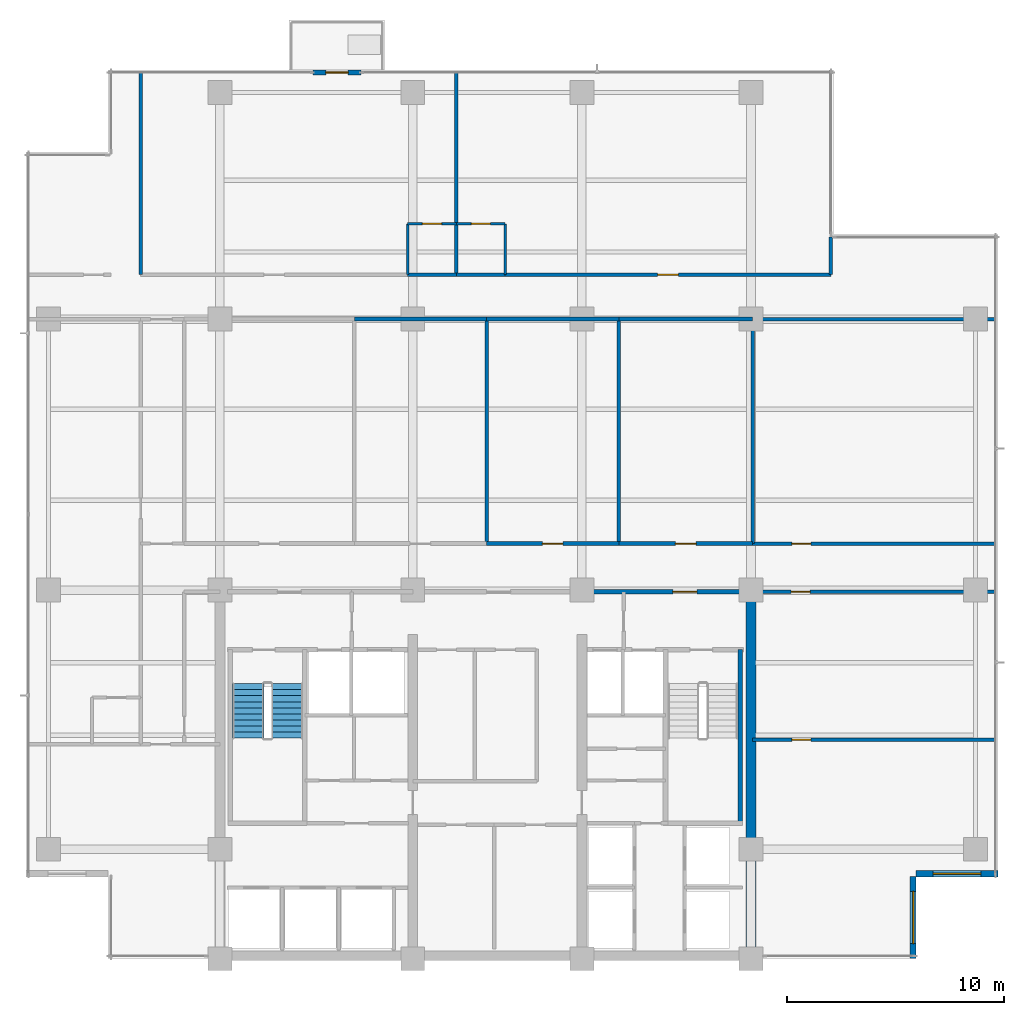
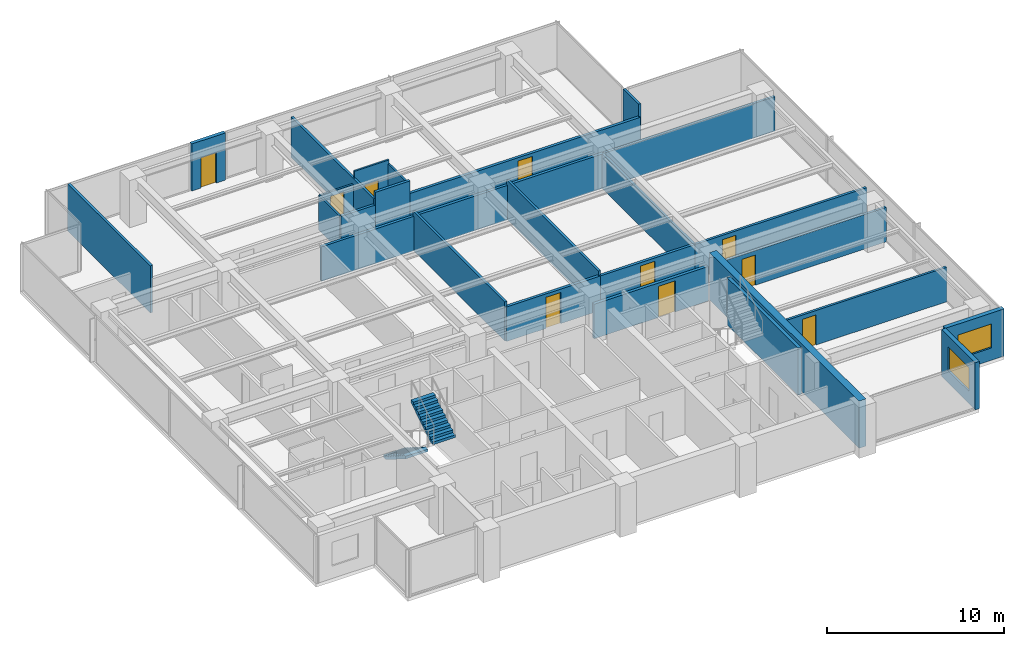
# One storey, part 9 of 14: 28 walls, 10 doors, 2 stair flights, 2 windows, 12 openings, 1 element without a shape of its own.
"""IFC4 building model written with IfcOpenShell, lengths in metres."""

import ifcopenshell
import ifcopenshell.guid

model = None  # the IFC model being written
_history = None  # IfcOwnerHistory: only IFC2X3 demands one
_inside = {}  # id of a spatial element -> (the spatial element, [elements in it])
_under = {}  # id of a project, library or spatial element -> (it, [spatial elements below it])
_declared = {}  # id of a project -> (the project, [libraries it declares])
_typed = {}  # id of a type object -> (the type object, [elements of that type])
_made_of = {}  # id of a material, layer set ... -> (it, [elements and type objects made of it])


def new_model(schema):
    """Start an empty IFC model of exactly this schema.

    Asked for "IFC4X3", IfcOpenShell would pick the latest addendum, in which some entities
    have other attributes; the version numbers below select the first issue.
    IFC2X3 requires an IfcOwnerHistory on every rooted entity: one is made here for all.
    """
    global model, _history
    if schema == "IFC4X3":
        model = ifcopenshell.file(schema_version=(4, 3, 0, 0))
    else:
        model = ifcopenshell.file(schema=schema)
    _inside.clear()
    _under.clear()
    _declared.clear()
    _typed.clear()
    _made_of.clear()
    _history = None
    if model.schema == "IFC2X3":
        org = make("IfcOrganization", Name="unknown")
        user = make(
            "IfcPersonAndOrganization",
            ThePerson=make("IfcPerson", FamilyName="unknown"),
            TheOrganization=org,
        )
        app = make(
            "IfcApplication",
            ApplicationDeveloper=org,
            Version="unknown",
            ApplicationFullName="unknown",
            ApplicationIdentifier="unknown",
        )
        _history = make(
            "IfcOwnerHistory",
            OwningUser=user,
            OwningApplication=app,
            ChangeAction="ADDED",
            CreationDate=0,
        )
    return model


def make(cls, **values):
    """One entity of the class cls with the attributes given. An attribute that is None is left unset."""
    return model.create_entity(
        cls, **{name: value for name, value in values.items() if value is not None}
    )


def rooted(cls, **values):
    """An entity with a GlobalId (a new one), such as an element, a storey or a relation."""
    return make(cls, GlobalId=ifcopenshell.guid.new(), OwnerHistory=_history, **values)


def si_unit(unit_type, name, prefix=None):
    """IfcSIUnit, for example si_unit("LENGTHUNIT", "METRE", prefix="MILLI")."""
    return make("IfcSIUnit", UnitType=unit_type, Prefix=prefix, Name=name)


def assignment(units):
    """IfcUnitAssignment: the units of a project."""
    return None if units is None else make("IfcUnitAssignment", Units=units)


def point(xyz):
    """IfcCartesianPoint."""
    return None if xyz is None else make("IfcCartesianPoint", Coordinates=xyz)


def direction(xyz):
    """IfcDirection."""
    return None if xyz is None else make("IfcDirection", DirectionRatios=xyz)


def frame(location, z_axis=None, x_axis=None):
    """IfcAxis2Placement3D, a coordinate frame: its origin and axes. An axis left out is left unset."""
    return make(
        "IfcAxis2Placement3D",
        Location=point(location),
        Axis=direction(z_axis),
        RefDirection=direction(x_axis),
    )


def frame_2d(location, x_axis=None):
    """IfcAxis2Placement2D, a coordinate frame in the plane: its origin and x axis."""
    return make(
        "IfcAxis2Placement2D", Location=point(location), RefDirection=direction(x_axis)
    )


def origin():
    """The frame at (0, 0, 0) with its axes left unset."""
    return frame((0.0, 0.0, 0.0))


def place(relative_to, where):
    """IfcLocalPlacement: puts the frame where relative to a parent placement (None: the world)."""
    return make(
        "IfcLocalPlacement", PlacementRelTo=relative_to, RelativePlacement=where
    )


def context(
    kind, dimensions, precision=None, world=None, true_north=None, identifier=None
):
    """IfcGeometricRepresentationContext, for example the 3D "Model" context."""
    return make(
        "IfcGeometricRepresentationContext",
        ContextIdentifier=identifier,
        ContextType=kind,
        CoordinateSpaceDimension=dimensions,
        Precision=precision,
        WorldCoordinateSystem=world,
        TrueNorth=true_north,
    )


def subcontext(parent, identifier, kind, view, scale=None):
    """IfcGeometricRepresentationSubContext, for example "Body" below "Model"."""
    return make(
        "IfcGeometricRepresentationSubContext",
        ContextIdentifier=identifier,
        ContextType=kind,
        ParentContext=parent,
        TargetScale=scale,
        TargetView=view,
    )


def project(units=None, contexts=None):
    """IfcProject with its units and contexts."""
    return rooted(
        "IfcProject",
        Name="project",
        RepresentationContexts=contexts,
        UnitsInContext=assignment(units),
    )


def spatial(cls, under=None, at=None, **own):
    """A site, building, storey or space (cls), placed at a placement, below another one or the project."""
    s = rooted(cls, ObjectPlacement=at, **own)
    if under is not None:
        _under.setdefault(under.id(), (under, []))[1].append(s)
    return s


def polyline(points):
    """IfcPolyline through the points."""
    return make("IfcPolyline", Points=[point(p) for p in points])


def profile(cls, at=None, kind="AREA", **sizes):
    """A parametric profile (cls). Its sizes go by their IFC names, for example OverallWidth=200.0."""
    return make(cls, ProfileType=kind, Position=at, **sizes)


def rectangle(**sizes):
    """IfcRectangleProfileDef."""
    return profile("IfcRectangleProfileDef", **sizes)


def outline(outer, holes=None, kind="AREA"):
    """IfcArbitraryClosedProfileDef: a profile drawn as a closed curve; with holes, ...WithVoids."""
    if holes is None:
        return make("IfcArbitraryClosedProfileDef", ProfileType=kind, OuterCurve=outer)
    return make(
        "IfcArbitraryProfileDefWithVoids",
        ProfileType=kind,
        OuterCurve=outer,
        InnerCurves=holes,
    )


def extrude(swept, where, along, depth):
    """IfcExtrudedAreaSolid: the profile swept, set in the frame where, extruded along a direction by depth."""
    return make(
        "IfcExtrudedAreaSolid",
        SweptArea=swept,
        Position=where,
        ExtrudedDirection=direction(along),
        Depth=depth,
    )


def shape(context_of_items, identifier, shape_type, items):
    """IfcShapeRepresentation: the items that make up one representation, for example the "Body"."""
    return make(
        "IfcShapeRepresentation",
        ContextOfItems=context_of_items,
        RepresentationIdentifier=identifier,
        RepresentationType=shape_type,
        Items=items,
    )


def material(Name=None, Category=None):
    """IfcMaterial."""
    return make("IfcMaterial", Name=Name, Category=Category)


def layer(
    of_material, thickness, ventilated=None, Name=None, Category=None, Priority=None
):
    """IfcMaterialLayer: one layer of a wall or slab, of a material (None: an air gap)."""
    return make(
        "IfcMaterialLayer",
        Material=of_material,
        LayerThickness=thickness,
        IsVentilated=ventilated,
        Name=Name,
        Category=Category,
        Priority=Priority,
    )


def layer_set(layers, Name=None):
    """IfcMaterialLayerSet."""
    return make("IfcMaterialLayerSet", MaterialLayers=layers, LayerSetName=Name)


def made_of(thing, what):
    """Note that an element or type object is made of a material, layer set ...; save() writes the relation."""
    if what is not None:
        _made_of.setdefault(what.id(), (what, []))[1].append(thing)
    return thing


def type_object(cls, material=None, **own):
    """A type object (cls), such as IfcWallType, which elements share."""
    return made_of(rooted(cls, **own), material)


def element(
    cls,
    number,
    at=None,
    inside=None,
    cuts=None,
    type_object=None,
    material=None,
    context=None,
    identifier="Body",
    shape_type=None,
    held_by="IfcProductDefinitionShape",
    body=None,
    shapes=None,
    **own,
):
    """One element of the class cls, such as IfcWall. Its Tag is "e" and its number.

    at: its placement. inside: the storey or other place that contains it. cuts: it is an
    opening in that element (IfcRelVoidsElement). A single representation is given by context,
    identifier, shape_type and body (its items); several are given by shapes. held_by: the class
    of the entity that holds the representations. save() writes the other relations.
    """
    e = rooted(cls, Tag="e%d" % number, ObjectPlacement=at, **own)
    if body is not None:
        shapes = [shape(context, identifier, shape_type, body)]
    if shapes is not None:
        e.Representation = make(held_by, Representations=shapes)
    if inside is not None:
        _inside.setdefault(inside.id(), (inside, []))[1].append(e)
    if cuts is not None:
        rooted(
            "IfcRelVoidsElement", RelatingBuildingElement=cuts, RelatedOpeningElement=e
        )
    if type_object is not None:
        _typed.setdefault(type_object.id(), (type_object, []))[1].append(e)
    return made_of(e, material)


def fill(opening, filler):
    """IfcRelFillsElement: the door or window that sits in an opening."""
    return rooted(
        "IfcRelFillsElement",
        RelatingOpeningElement=opening,
        RelatedBuildingElement=filler,
    )


def aggregate(whole, parts):
    """IfcRelAggregates: a whole, such as a stair, and the parts it consists of."""
    return rooted("IfcRelAggregates", RelatingObject=whole, RelatedObjects=parts)


def save(model, path):
    """Write the relations noted so far, then the file.

    IfcRelAggregates (storeys below a building ...), IfcRelContainedInSpatialStructure (elements
    in a storey), IfcRelDefinesByType, IfcRelAssociatesMaterial and IfcRelDeclares: one each for
    every whole, place, type object, material and project.
    """
    for whole, parts in _under.values():
        aggregate(whole, parts)
    for where, things in _inside.values():
        rooted(
            "IfcRelContainedInSpatialStructure",
            RelatedElements=things,
            RelatingStructure=where,
        )
    for kind, things in _typed.values():
        rooted("IfcRelDefinesByType", RelatedObjects=things, RelatingType=kind)
    for what, things in _made_of.values():
        rooted("IfcRelAssociatesMaterial", RelatedObjects=things, RelatingMaterial=what)
    for by, libraries in _declared.values():
        rooted("IfcRelDeclares", RelatingContext=by, RelatedDefinitions=libraries)
    model.write(path)


model = new_model("IFC4")

# Units and contexts
model_context = context("Model", 3, precision=1e-05, world=origin(), true_north=direction((0.0, 1.0)))
body_context = subcontext(model_context, "Body", "Model", "MODEL_VIEW")
ifc_project = project(units=[si_unit("LENGTHUNIT", "METRE"), si_unit("AREAUNIT", "SQUARE_METRE"), si_unit("VOLUMEUNIT", "CUBIC_METRE"), si_unit("PLANEANGLEUNIT", "RADIAN"), si_unit("MASSUNIT", "GRAM", prefix="KILO")], contexts=[model_context])

# Site, building, storey
site_placement = place(None, origin())
site = spatial("IfcSite", under=ifc_project, at=site_placement, CompositionType="ELEMENT")
building_placement = place(site_placement, origin())
building = spatial("IfcBuilding", under=site, at=building_placement, Name="Qalmaran Belvedere Hotel", CompositionType="ELEMENT")
storey_placement = place(building_placement, frame((0.0, 0.0, 177.10009765625)))
storey = spatial("IfcBuildingStorey", under=building, at=storey_placement, Name="L45", CompositionType="ELEMENT", Elevation=177.10009765625)

# Wall, opening, door
ifc_material_1 = material(Name="Anodised Bronze Cladding")
ifc_layer_1 = layer(ifc_material_1, 0.22509765625, Name="Anodised Bronze Cladding")
ifc_layer_set_1 = layer_set([ifc_layer_1], Name="Anodised Bronze Cladding")
wall_type_1 = type_object("IfcWallType", Name="WL-BAL-PORT-225", PredefinedType="SOLIDWALL", material=ifc_layer_set_1)
wall_1_placement = place(storey_placement, frame((24.60009765625, 44.3798828125, 0.0), z_axis=(0.0, 0.0, 1.0), x_axis=(1.0, 0.0, 0.0)))
wall_1 = element("IfcWall", 1, at=wall_1_placement, inside=storey, type_object=wall_type_1, Name="L45 Tree Balcony Door Portal", PredefinedType="SOLIDWALL", context=body_context, shape_type="SweptSolid", body=[
    extrude(rectangle(XDim=2.199951171875, YDim=0.22509765625, at=frame_2d((1.10009765625, 0.0))), origin(), (0.0, 0.0, 1.0), 3.25),
])
opening_1_placement = place(wall_1_placement, frame((0.590087890625, 0.0, 0.0)))
opening_1 = element("IfcOpeningElement", 2, at=opening_1_placement, cuts=wall_1, Name="Opening BL-102", PredefinedType="OPENING", context=body_context, shape_type="SweptSolid", body=[
    extrude(rectangle(XDim=1.02001953125, YDim=2.10009765625, at=frame_2d((0.510009765625, 1.050048828125))), frame((0.0, 0.12255859375, 0.0), z_axis=(0.0, -1.0, 0.0), x_axis=(1.0, 0.0, 0.0)), (0.0, 0.0, 1.0), 0.2451171875),
])
ifc_material_2 = material(Name="Anodised Bronze Aluminium", Category="aluminium")
door_type_1 = type_object("IfcDoorType", Name="DR-BAL-1020X2100", OperationType="NOTDEFINED", PredefinedType="DOOR", material=ifc_material_2)
door_1_placement = place(opening_1_placement, origin())
door_1 = element("IfcDoor", 3, at=door_1_placement, inside=storey, type_object=door_type_1, Name="L45 Planted Tree Balcony Door", OperationType="SINGLE_SWING_RIGHT", OverallHeight=2.10009765625, OverallWidth=1.02001953125, PredefinedType="DOOR", context=body_context, shape_type="SweptSolid", body=[
    extrude(rectangle(XDim=1.02001953125, YDim=2.10009765625, at=frame_2d((0.510009765625, 1.050048828125))), frame((0.0, 0.02490234375, 0.0), z_axis=(0.0, -1.0, 0.0), x_axis=(1.0, 0.0, 0.0)), (0.0, 0.0, 1.0), 0.050048828125),
])
fill(opening_1, door_1)

# Wall
ifc_material_3 = material(Name="Concrete C50/60", Category="concrete")
ifc_layer_2 = layer(ifc_material_3, 0.449951171875, Name="Concrete C50/60")
ifc_layer_set_2 = layer_set([ifc_layer_2], Name="Concrete C50/60")
wall_type_2 = type_object("IfcWallType", Name="WL-CORE-450-C50", PredefinedType="SHEAR", material=ifc_layer_set_2)
wall_2_placement = place(storey_placement, frame((44.800048828125, 3.5, 0.0), z_axis=(0.0, 0.0, 1.0), x_axis=(0.0, 1.0, 0.0)))
element("IfcWall", 4, at=wall_2_placement, inside=storey, type_object=wall_type_2, Name="L45 East Core Shear Wall", PredefinedType="SHEAR", context=body_context, shape_type="SweptSolid", body=[
    extrude(rectangle(XDim=16.89990234375, YDim=0.449951171875, at=frame_2d((8.449951171875, 0.0))), origin(), (0.0, 0.0, 1.0), 3.25),
])

# Wall, opening, window
ifc_layer_3 = layer(ifc_material_1, 0.280029296875, Name="Anodised Bronze Cladding")
ifc_layer_set_3 = layer_set([ifc_layer_3], Name="Anodised Bronze Cladding")
wall_type_3 = type_object("IfcWallType", Name="WL-EXT-BRNZ-280", PredefinedType="SOLIDWALL", material=ifc_layer_set_3)
wall_3_placement = place(storey_placement, frame((52.280029296875, 3.5, 0.0), z_axis=(0.0, 0.0, 1.0), x_axis=(0.0, 1.0, 0.0)))
wall_3 = element("IfcWall", 5, at=wall_3_placement, inside=storey, type_object=wall_type_3, Name="L45 Corner Notch Wall 1", PredefinedType="SOLIDWALL", context=body_context, shape_type="SweptSolid", body=[
    extrude(rectangle(XDim=3.800048828125, YDim=0.280029296875, at=frame_2d((1.89990234375, 0.0))), origin(), (0.0, 0.0, 1.0), 3.25),
])
opening_2_placement = place(wall_3_placement, frame((0.699951171875, 0.0, 0.85009765625)))
opening_2 = element("IfcOpeningElement", 6, at=opening_2_placement, cuts=wall_3, Name="Opening W-N24", PredefinedType="OPENING", context=body_context, shape_type="SweptSolid", body=[
    extrude(rectangle(XDim=2.39990234375, YDim=1.64990234375, at=frame_2d((1.199951171875, 0.824951171875))), frame((0.0, 0.14990234375, 0.0), z_axis=(0.0, -1.0, 0.0), x_axis=(1.0, 0.0, 0.0)), (0.0, 0.0, 1.0), 0.300048828125),
])
ifc_material_4 = material(Name="Solar-Control Double Glazing", Category="glass")
window_type_1 = type_object("IfcWindowType", Name="WN-NTC-2400X1650", PartitioningType="SINGLE_PANEL", PredefinedType="WINDOW", material=ifc_material_4)
window_1_placement = place(opening_2_placement, origin())
window_1 = element("IfcWindow", 7, at=window_1_placement, inside=storey, type_object=window_type_1, Name="L45 Corner Notch Window 1", OverallHeight=1.64990234375, OverallWidth=2.39990234375, PartitioningType="SINGLE_PANEL", PredefinedType="WINDOW", context=body_context, shape_type="SweptSolid", body=[
    extrude(rectangle(XDim=2.39990234375, YDim=1.64990234375, at=frame_2d((1.199951171875, 0.824951171875))), frame((0.0, 0.030029296875, 0.0), z_axis=(0.0, -1.0, 0.0), x_axis=(1.0, 0.0, 0.0)), (0.0, 0.0, 1.0), 0.06005859375),
])
fill(opening_2, window_1)

wall_4_placement = place(storey_placement, frame((52.39990234375, 7.419921875, 0.0), z_axis=(0.0, 0.0, 1.0), x_axis=(1.0, 0.0, 0.0)))
wall_4 = element("IfcWall", 8, at=wall_4_placement, inside=storey, type_object=wall_type_3, Name="L45 Corner Notch Wall 2", PredefinedType="SOLIDWALL", context=body_context, shape_type="SweptSolid", body=[
    extrude(rectangle(XDim=3.800048828125, YDim=0.280029296875, at=frame_2d((1.89990234375, 0.0))), origin(), (0.0, 0.0, 1.0), 3.25),
])
opening_3_placement = place(wall_4_placement, frame((0.800048828125, 0.0, 0.85009765625)))
opening_3 = element("IfcOpeningElement", 9, at=opening_3_placement, cuts=wall_4, Name="Opening W-N22", PredefinedType="OPENING", context=body_context, shape_type="SweptSolid", body=[
    extrude(rectangle(XDim=2.199951171875, YDim=1.64990234375, at=frame_2d((1.10009765625, 0.824951171875))), frame((0.0, 0.14990234375, 0.0), z_axis=(0.0, -1.0, 0.0), x_axis=(1.0, 0.0, 0.0)), (0.0, 0.0, 1.0), 0.300048828125),
])
window_type_2 = type_object("IfcWindowType", Name="WN-NTC-2200X1650", PartitioningType="SINGLE_PANEL", PredefinedType="WINDOW", material=ifc_material_4)
window_2_placement = place(opening_3_placement, origin())
window_2 = element("IfcWindow", 10, at=window_2_placement, inside=storey, type_object=window_type_2, Name="L45 Corner Notch Window 2", OverallHeight=1.64990234375, OverallWidth=2.199951171875, PartitioningType="SINGLE_PANEL", PredefinedType="WINDOW", context=body_context, shape_type="SweptSolid", body=[
    extrude(rectangle(XDim=2.199951171875, YDim=1.64990234375, at=frame_2d((1.10009765625, 0.824951171875))), frame((0.0, 0.030029296875, 0.0), z_axis=(0.0, -1.0, 0.0), x_axis=(1.0, 0.0, 0.0)), (0.0, 0.0, 1.0), 0.06005859375),
])
fill(opening_3, window_2)

# Wall, opening, door
ifc_material_5 = material(Name="Moisture-Resistant Gypsum")
ifc_layer_4 = layer(ifc_material_5, 0.1201171875, Name="Moisture-Resistant Gypsum")
ifc_layer_set_4 = layer_set([ifc_layer_4], Name="Moisture-Resistant Gypsum")
wall_type_4 = type_object("IfcWallType", Name="WL-INT-120-BATH", PredefinedType="PARTITIONING", material=ifc_layer_set_4)
wall_5_placement = place(storey_placement, frame((28.960693359375, 37.39990234375, 0.0), z_axis=(0.0, 0.0, 1.0), x_axis=(1.0, 0.0, 0.0)))
wall_5 = element("IfcWall", 11, at=wall_5_placement, inside=storey, type_object=wall_type_4, Name="L45 Partition WL-L45-NBN00", PredefinedType="PARTITIONING", context=body_context, shape_type="SweptSolid", body=[
    extrude(rectangle(XDim=2.25, YDim=0.1201171875, at=frame_2d((1.125, 0.0))), origin(), (0.0, 0.0, 1.0), 2.3798828125),
])
opening_4_placement = place(wall_5_placement, frame((1.56494140625, 0.0, 0.0), z_axis=(0.0, 0.0, 1.0), x_axis=(-1.0, 0.0, 0.0)))
opening_4 = element("IfcOpeningElement", 12, at=opening_4_placement, cuts=wall_5, Name="Opening D-BATH", PredefinedType="OPENING", context=body_context, shape_type="SweptSolid", body=[
    extrude(rectangle(XDim=0.8798828125, YDim=2.080078125, at=frame_2d((0.43994140625, 1.0400390625))), frame((0.0, 0.070068359375, 0.0), z_axis=(0.0, -1.0, 0.0), x_axis=(1.0, 0.0, 0.0)), (0.0, 0.0, 1.0), 0.14013671875),
])
ifc_material_6 = material(Name="Engineered Oak Veneer")
door_type_2 = type_object("IfcDoorType", Name="DR-INT-BATH-880X2080", OperationType="NOTDEFINED", PredefinedType="DOOR", material=ifc_material_6)
door_2_placement = place(opening_4_placement, origin())
door_2 = element("IfcDoor", 13, at=door_2_placement, inside=storey, type_object=door_type_2, Name="L45 Ensuite Bathroom Door N01", OperationType="SINGLE_SWING_RIGHT", OverallHeight=2.080078125, OverallWidth=0.8798828125, PredefinedType="DOOR", context=body_context, shape_type="SweptSolid", body=[
    extrude(rectangle(XDim=0.8798828125, YDim=2.080078125, at=frame_2d((0.43994140625, 1.0400390625))), frame((0.0, 0.02490234375, 0.0), z_axis=(0.0, -1.0, 0.0), x_axis=(1.0, 0.0, 0.0)), (0.0, 0.0, 1.0), 0.050048828125),
])
fill(opening_4, door_2)

# Wall
wall_6_placement = place(storey_placement, frame((28.960693359375, 35.050048828125, 0.0), z_axis=(0.0, 0.0, 1.0), x_axis=(0.0, 1.0, 0.0)))
element("IfcWall", 14, at=wall_6_placement, inside=storey, type_object=wall_type_4, Name="L45 Partition WL-L45-NBS00", PredefinedType="PARTITIONING", context=body_context, shape_type="SweptSolid", body=[
    extrude(rectangle(XDim=2.349853515625, YDim=0.1201171875, at=frame_2d((1.1748046875, 0.0))), origin(), (0.0, 0.0, 1.0), 2.3798828125),
])

# Wall, opening, door
wall_7_placement = place(storey_placement, frame((31.210693359375, 37.39990234375, 0.0), z_axis=(0.0, 0.0, 1.0), x_axis=(1.0, 0.0, 0.0)))
wall_7 = element("IfcWall", 15, at=wall_7_placement, inside=storey, type_object=wall_type_4, Name="L45 Partition WL-L45-NBN01", PredefinedType="PARTITIONING", context=body_context, shape_type="SweptSolid", body=[
    extrude(rectangle(XDim=2.25, YDim=0.1201171875, at=frame_2d((1.125, 0.0))), origin(), (0.0, 0.0, 1.0), 3.25),
])
opening_5_placement = place(wall_7_placement, frame((1.56494140625, 0.0, 0.0), z_axis=(0.0, 0.0, 1.0), x_axis=(-1.0, 0.0, 0.0)))
opening_5 = element("IfcOpeningElement", 16, at=opening_5_placement, cuts=wall_7, Name="Opening D-BATH", PredefinedType="OPENING", context=body_context, shape_type="SweptSolid", body=[
    extrude(rectangle(XDim=0.8798828125, YDim=2.080078125, at=frame_2d((0.43994140625, 1.0400390625))), frame((0.0, 0.070068359375, 0.0), z_axis=(0.0, -1.0, 0.0), x_axis=(1.0, 0.0, 0.0)), (0.0, 0.0, 1.0), 0.14013671875),
])
door_3_placement = place(opening_5_placement, origin())
door_3 = element("IfcDoor", 17, at=door_3_placement, inside=storey, type_object=door_type_2, Name="L45 Ensuite Bathroom Door N02", OperationType="SINGLE_SWING_RIGHT", OverallHeight=2.080078125, OverallWidth=0.8798828125, PredefinedType="DOOR", context=body_context, shape_type="SweptSolid", body=[
    extrude(rectangle(XDim=0.8798828125, YDim=2.080078125, at=frame_2d((0.43994140625, 1.0400390625))), frame((0.0, 0.02490234375, 0.0), z_axis=(0.0, -1.0, 0.0), x_axis=(1.0, 0.0, 0.0)), (0.0, 0.0, 1.0), 0.050048828125),
])
fill(opening_5, door_3)

# Wall
wall_8_placement = place(storey_placement, frame((33.460693359375, 35.050048828125, 0.0), z_axis=(0.0, 0.0, 1.0), x_axis=(0.0, 1.0, 0.0)))
element("IfcWall", 18, at=wall_8_placement, inside=storey, type_object=wall_type_4, Name="L45 Partition WL-L45-NBS01", PredefinedType="PARTITIONING", context=body_context, shape_type="SweptSolid", body=[
    extrude(rectangle(XDim=2.349853515625, YDim=0.1201171875, at=frame_2d((1.1748046875, 0.0))), origin(), (0.0, 0.0, 1.0), 2.98779296875),
])

# Wall, opening, door
ifc_material_7 = material(Name="Gypsum Stud Partition")
ifc_layer_5 = layer(ifc_material_7, 0.14990234375, Name="Gypsum Stud Partition")
ifc_layer_set_5 = layer_set([ifc_layer_5], Name="Gypsum Stud Partition")
wall_type_5 = type_object("IfcWallType", Name="WL-INT-150-EI60", PredefinedType="PARTITIONING", material=ifc_layer_set_5)
wall_9_placement = place(storey_placement, frame((44.8798828125, 13.60009765625, 0.0), z_axis=(0.0, 0.0, 1.0), x_axis=(1.0, 0.0, 0.0)))
wall_9 = element("IfcWall", 19, at=wall_9_placement, inside=storey, type_object=wall_type_5, Name="L45 Partition WL-L45-ECEH0", PredefinedType="PARTITIONING", context=body_context, shape_type="SweptSolid", body=[
    extrude(rectangle(XDim=11.2001953125, YDim=0.14990234375, at=frame_2d((5.60009765625, 0.0))), origin(), (0.0, 0.0, 1.0), 2.3798828125),
])
opening_6_placement = place(wall_9_placement, frame((2.679931640625, 0.0, 0.0), z_axis=(0.0, 0.0, 1.0), x_axis=(-1.0, 0.0, 0.0)))
opening_6 = element("IfcOpeningElement", 20, at=opening_6_placement, cuts=wall_9, Name="Opening FD60B", PredefinedType="OPENING", context=body_context, shape_type="SweptSolid", body=[
    extrude(rectangle(XDim=0.8798828125, YDim=2.080078125, at=frame_2d((0.43994140625, 1.0400390625))), frame((0.0, 0.0849609375, 0.0), z_axis=(0.0, -1.0, 0.0), x_axis=(1.0, 0.0, 0.0)), (0.0, 0.0, 1.0), 0.169921875),
])
ifc_material_8 = material(Name="Steel S355JR", Category="steel")
door_type_3 = type_object("IfcDoorType", Name="DR-FD60B-880X2080", OperationType="NOTDEFINED", PredefinedType="DOOR", material=ifc_material_8)
door_4_placement = place(opening_6_placement, origin())
door_4 = element("IfcDoor", 21, at=door_4_placement, inside=storey, type_object=door_type_3, Name="L45 East Study Inner Door", OperationType="SINGLE_SWING_LEFT", OverallHeight=2.080078125, OverallWidth=0.8798828125, PredefinedType="DOOR", context=body_context, shape_type="SweptSolid", body=[
    extrude(rectangle(XDim=0.8798828125, YDim=2.080078125, at=frame_2d((0.43994140625, 1.0400390625))), frame((0.0, 0.02490234375, 0.0), z_axis=(0.0, -1.0, 0.0), x_axis=(1.0, 0.0, 0.0)), (0.0, 0.0, 1.0), 0.050048828125),
])
fill(opening_6, door_4)

ifc_layer_6 = layer(ifc_material_7, 0.159912109375, Name="Gypsum Stud Partition")
ifc_layer_set_6 = layer_set([ifc_layer_6], Name="Gypsum Stud Partition")
wall_type_6 = type_object("IfcWallType", Name="WL-INT-160-EI60", PredefinedType="PARTITIONING", material=ifc_layer_set_6)
wall_10_placement = place(storey_placement, frame((44.800048828125, 20.419921875, 0.0), z_axis=(0.0, 0.0, 1.0), x_axis=(1.0, 0.0, 0.0)))
wall_10 = element("IfcWall", 22, at=wall_10_placement, inside=storey, type_object=wall_type_6, Name="L45 Partition WL-L45-ECE1S", PredefinedType="PARTITIONING", context=body_context, shape_type="SweptSolid", body=[
    extrude(rectangle(XDim=11.280029296875, YDim=0.159912109375, at=frame_2d((5.64013671875, 0.0))), origin(), (0.0, 0.0, 1.0), 2.3798828125),
])
opening_7_placement = place(wall_10_placement, frame((2.72998046875, 0.0, 0.0), z_axis=(0.0, 0.0, 1.0), x_axis=(-1.0, 0.0, 0.0)))
opening_7 = element("IfcOpeningElement", 23, at=opening_7_placement, cuts=wall_10, Name="Opening FD60B", PredefinedType="OPENING", context=body_context, shape_type="SweptSolid", body=[
    extrude(rectangle(XDim=0.8798828125, YDim=2.080078125, at=frame_2d((0.43994140625, 1.0400390625))), frame((0.0, 0.08984375, 0.0), z_axis=(0.0, -1.0, 0.0), x_axis=(1.0, 0.0, 0.0)), (0.0, 0.0, 1.0), 0.179931640625),
])
door_5_placement = place(opening_7_placement, origin())
door_5 = element("IfcDoor", 24, at=door_5_placement, inside=storey, type_object=door_type_3, Name="L45 East Library Door", OperationType="SINGLE_SWING_RIGHT", OverallHeight=2.080078125, OverallWidth=0.8798828125, PredefinedType="DOOR", context=body_context, shape_type="SweptSolid", body=[
    extrude(rectangle(XDim=0.8798828125, YDim=2.080078125, at=frame_2d((0.43994140625, 1.0400390625))), frame((0.0, 0.02490234375, 0.0), z_axis=(0.0, -1.0, 0.0), x_axis=(1.0, 0.0, 0.0)), (0.0, 0.0, 1.0), 0.050048828125),
])
fill(opening_7, door_5)

wall_11_placement = place(storey_placement, frame((44.8798828125, 22.64990234375, 0.0), z_axis=(0.0, 0.0, 1.0), x_axis=(1.0, 0.0, 0.0)))
wall_11 = element("IfcWall", 25, at=wall_11_placement, inside=storey, type_object=wall_type_6, Name="L45 Partition WL-L45-ECE2N", PredefinedType="PARTITIONING", context=body_context, shape_type="SweptSolid", body=[
    extrude(rectangle(XDim=11.2001953125, YDim=0.159912109375, at=frame_2d((5.60009765625, 0.0))), origin(), (0.0, 0.0, 1.0), 2.3798828125),
])
opening_8_placement = place(wall_11_placement, frame((1.800048828125, 0.0, 0.0)))
opening_8 = element("IfcOpeningElement", 26, at=opening_8_placement, cuts=wall_11, Name="Opening FD60B", PredefinedType="OPENING", context=body_context, shape_type="SweptSolid", body=[
    extrude(rectangle(XDim=0.8798828125, YDim=2.080078125, at=frame_2d((0.43994140625, 1.0400390625))), frame((0.0, 0.08984375, 0.0), z_axis=(0.0, -1.0, 0.0), x_axis=(1.0, 0.0, 0.0)), (0.0, 0.0, 1.0), 0.179931640625),
])
door_6_placement = place(opening_8_placement, origin())
door_6 = element("IfcDoor", 27, at=door_6_placement, inside=storey, type_object=door_type_3, Name="L45 East Fitness Door", OperationType="SINGLE_SWING_LEFT", OverallHeight=2.080078125, OverallWidth=0.8798828125, PredefinedType="DOOR", context=body_context, shape_type="SweptSolid", body=[
    extrude(rectangle(XDim=0.8798828125, YDim=2.080078125, at=frame_2d((0.43994140625, 1.0400390625))), frame((0.0, 0.02490234375, 0.0), z_axis=(0.0, -1.0, 0.0), x_axis=(1.0, 0.0, 0.0)), (0.0, 0.0, 1.0), 0.050048828125),
])
fill(opening_8, door_6)

# Walls
wall_12_placement = place(storey_placement, frame((44.8798828125, 33.0, 0.0), z_axis=(0.0, 0.0, 1.0), x_axis=(1.0, 0.0, 0.0)))
element("IfcWall", 28, at=wall_12_placement, inside=storey, type_object=wall_type_6, Name="L45 Partition WL-L45-ECEN", PredefinedType="PARTITIONING", context=body_context, shape_type="SweptSolid", body=[
    extrude(rectangle(XDim=11.2001953125, YDim=0.159912109375, at=frame_2d((5.60009765625, 0.0))), origin(), (0.0, 0.0, 1.0), 2.3798828125),
])
for number, where, z_axis, x_axis, name in (
    (29, (32.60009765625, 22.64990234375, 0.0), (0.0, 0.0, 1.0), (0.0, 1.0, 0.0), "L45 Partition WL-L45-MIDVR2"),
    (30, (38.699951171875, 22.64990234375, 0.0), (0.0, 0.0, 1.0), (0.0, 1.0, 0.0), "L45 Partition WL-L45-MIDVR3"),
):
    element("IfcWall", number, at=place(storey_placement, frame(where, z_axis=z_axis, x_axis=x_axis)), inside=storey, type_object=wall_type_6, Name=name, PredefinedType="PARTITIONING", context=body_context, shape_type="SweptSolid", body=[
        extrude(rectangle(XDim=10.35009765625, YDim=0.159912109375, at=frame_2d((5.175048828125, 0.0))), origin(), (0.0, 0.0, 1.0), 2.69189453125),
    ])
wall_13_placement = place(storey_placement, frame((44.8798828125, 22.64990234375, 0.0), z_axis=(0.0, 0.0, 1.0), x_axis=(0.0, 1.0, 0.0)))
element("IfcWall", 31, at=wall_13_placement, inside=storey, type_object=wall_type_6, Name="L45 Partition WL-L45-MIDVR4", PredefinedType="PARTITIONING", context=body_context, shape_type="SweptSolid", body=[
    extrude(rectangle(XDim=10.35009765625, YDim=0.159912109375, at=frame_2d((5.175048828125, 0.0))), origin(), (0.0, 0.0, 1.0), 2.3798828125),
])
wall_14_placement = place(storey_placement, frame((16.64990234375, 35.050048828125, 0.0), z_axis=(0.0, 0.0, 1.0), x_axis=(0.0, 1.0, 0.0)))
element("IfcWall", 32, at=wall_14_placement, inside=storey, type_object=wall_type_6, Name="L45 Partition WL-L45-NUL", PredefinedType="PARTITIONING", context=body_context, shape_type="SweptSolid", body=[
    extrude(rectangle(XDim=9.329833984375, YDim=0.159912109375, at=frame_2d((4.6650390625, 0.0))), origin(), (0.0, 0.0, 1.0), 3.25),
])
wall_15_placement = place(storey_placement, frame((31.210693359375, 35.050048828125, 0.0), z_axis=(0.0, 0.0, 1.0), x_axis=(0.0, 1.0, 0.0)))
element("IfcWall", 33, at=wall_15_placement, inside=storey, type_object=wall_type_6, Name="L45 Partition WL-L45-NUR00", PredefinedType="PARTITIONING", context=body_context, shape_type="SweptSolid", body=[
    extrude(rectangle(XDim=9.329833984375, YDim=0.159912109375, at=frame_2d((4.6650390625, 0.0))), origin(), (0.0, 0.0, 1.0), 2.77197265625),
])
wall_16_placement = place(storey_placement, frame((48.47998046875, 35.050048828125, 0.0), z_axis=(0.0, 0.0, 1.0), x_axis=(0.0, 1.0, 0.0)))
element("IfcWall", 34, at=wall_16_placement, inside=storey, type_object=wall_type_6, Name="L45 Partition WL-L45-NUR01", PredefinedType="PARTITIONING", context=body_context, shape_type="SweptSolid", body=[
    extrude(rectangle(XDim=1.72998046875, YDim=0.159912109375, at=frame_2d((0.864990234375, 0.0))), origin(), (0.0, 0.0, 1.0), 3.25),
])
ifc_layer_7 = layer(ifc_material_7, 0.179931640625, Name="Gypsum Stud Partition")
ifc_layer_set_7 = layer_set([ifc_layer_7], Name="Gypsum Stud Partition")
wall_type_7 = type_object("IfcWallType", Name="WL-INT-180-EI60", PredefinedType="PARTITIONING", material=ifc_layer_set_7)
wall_17_placement = place(storey_placement, frame((26.5, 33.0, 0.0), z_axis=(0.0, 0.0, 1.0), x_axis=(1.0, 0.0, 0.0)))
element("IfcWall", 35, at=wall_17_placement, inside=storey, type_object=wall_type_7, Name="L45 Partition WL-L45-MIDO2", PredefinedType="PARTITIONING", context=body_context, shape_type="SweptSolid", body=[
    extrude(rectangle(XDim=6.10009765625, YDim=0.179931640625, at=frame_2d((3.050048828125, 0.0))), origin(), (0.0, 0.0, 1.0), 2.3798828125),
])

# Wall, opening, door
wall_18_placement = place(storey_placement, frame((32.60009765625, 22.64990234375, 0.0), z_axis=(0.0, 0.0, 1.0), x_axis=(1.0, 0.0, 0.0)))
wall_18 = element("IfcWall", 36, at=wall_18_placement, inside=storey, type_object=wall_type_7, Name="L45 Partition WL-L45-MIDD3", PredefinedType="PARTITIONING", context=body_context, shape_type="SweptSolid", body=[
    extrude(rectangle(XDim=6.099853515625, YDim=0.179931640625, at=frame_2d((3.0498046875, 0.0))), origin(), (0.0, 0.0, 1.0), 2.3798828125),
])
opening_9_placement = place(wall_18_placement, frame((2.574951171875, 0.0, 0.0)))
opening_9 = element("IfcOpeningElement", 37, at=opening_9_placement, cuts=wall_18, Name="Opening FD60", PredefinedType="OPENING", context=body_context, shape_type="SweptSolid", body=[
    extrude(rectangle(XDim=0.949951171875, YDim=2.14990234375, at=frame_2d((0.47509765625, 1.074951171875))), frame((0.0, 0.10009765625, 0.0), z_axis=(0.0, -1.0, 0.0), x_axis=(1.0, 0.0, 0.0)), (0.0, 0.0, 1.0), 0.199951171875),
])
door_type_4 = type_object("IfcDoorType", Name="DR-FD60-950X2150", OperationType="NOTDEFINED", PredefinedType="DOOR", material=ifc_material_6)
door_7_placement = place(opening_9_placement, origin())
door_7 = element("IfcDoor", 38, at=door_7_placement, inside=storey, type_object=door_type_4, Name="L45 Fitness Studio Door", OperationType="SINGLE_SWING_RIGHT", OverallHeight=2.14990234375, OverallWidth=0.949951171875, PredefinedType="DOOR", context=body_context, shape_type="SweptSolid", body=[
    extrude(rectangle(XDim=0.949951171875, YDim=2.14990234375, at=frame_2d((0.47509765625, 1.074951171875))), frame((0.0, 0.02490234375, 0.0), z_axis=(0.0, -1.0, 0.0), x_axis=(1.0, 0.0, 0.0)), (0.0, 0.0, 1.0), 0.050048828125),
])
fill(opening_9, door_7)

# Wall
wall_19_placement = place(storey_placement, frame((32.60009765625, 33.0, 0.0), z_axis=(0.0, 0.0, 1.0), x_axis=(1.0, 0.0, 0.0)))
element("IfcWall", 39, at=wall_19_placement, inside=storey, type_object=wall_type_7, Name="L45 Partition WL-L45-MIDO3", PredefinedType="PARTITIONING", context=body_context, shape_type="SweptSolid", body=[
    extrude(rectangle(XDim=6.099853515625, YDim=0.179931640625, at=frame_2d((3.0498046875, 0.0))), origin(), (0.0, 0.0, 1.0), 2.3798828125),
])

# Wall, opening, door
wall_20_placement = place(storey_placement, frame((38.699951171875, 22.64990234375, 0.0), z_axis=(0.0, 0.0, 1.0), x_axis=(1.0, 0.0, 0.0)))
wall_20 = element("IfcWall", 40, at=wall_20_placement, inside=storey, type_object=wall_type_7, Name="L45 Partition WL-L45-MIDD4", PredefinedType="PARTITIONING", context=body_context, shape_type="SweptSolid", body=[
    extrude(rectangle(XDim=6.179931640625, YDim=0.179931640625, at=frame_2d((3.08984375, 0.0))), origin(), (0.0, 0.0, 1.0), 2.3798828125),
])
opening_10_placement = place(wall_20_placement, frame((2.614990234375, 0.0, 0.0)))
opening_10 = element("IfcOpeningElement", 41, at=opening_10_placement, cuts=wall_20, Name="Opening FD60", PredefinedType="OPENING", context=body_context, shape_type="SweptSolid", body=[
    extrude(rectangle(XDim=0.949951171875, YDim=2.14990234375, at=frame_2d((0.47509765625, 1.074951171875))), frame((0.0, 0.10009765625, 0.0), z_axis=(0.0, -1.0, 0.0), x_axis=(1.0, 0.0, 0.0)), (0.0, 0.0, 1.0), 0.199951171875),
])
door_8_placement = place(opening_10_placement, origin())
door_8 = element("IfcDoor", 42, at=door_8_placement, inside=storey, type_object=door_type_4, Name="L45 Meditation Spa Door", OperationType="SINGLE_SWING_LEFT", OverallHeight=2.14990234375, OverallWidth=0.949951171875, PredefinedType="DOOR", context=body_context, shape_type="SweptSolid", body=[
    extrude(rectangle(XDim=0.949951171875, YDim=2.14990234375, at=frame_2d((0.47509765625, 1.074951171875))), frame((0.0, 0.02490234375, 0.0), z_axis=(0.0, -1.0, 0.0), x_axis=(1.0, 0.0, 0.0)), (0.0, 0.0, 1.0), 0.050048828125),
])
fill(opening_10, door_8)

# Walls
wall_21_placement = place(storey_placement, frame((38.699951171875, 33.0, 0.0), z_axis=(0.0, 0.0, 1.0), x_axis=(1.0, 0.0, 0.0)))
element("IfcWall", 43, at=wall_21_placement, inside=storey, type_object=wall_type_7, Name="L45 Partition WL-L45-MIDO4", PredefinedType="PARTITIONING", context=body_context, shape_type="SweptSolid", body=[
    extrude(rectangle(XDim=6.179931640625, YDim=0.179931640625, at=frame_2d((3.08984375, 0.0))), origin(), (0.0, 0.0, 1.0), 2.3798828125),
])
wall_22_placement = place(storey_placement, frame((28.960693359375, 35.050048828125, 0.0), z_axis=(0.0, 0.0, 1.0), x_axis=(1.0, 0.0, 0.0)))
element("IfcWall", 44, at=wall_22_placement, inside=storey, type_object=wall_type_7, Name="L45 Partition WL-L45-NBC00", PredefinedType="PARTITIONING", context=body_context, shape_type="SweptSolid", body=[
    extrude(rectangle(XDim=2.25, YDim=0.179931640625, at=frame_2d((1.125, 0.0))), origin(), (0.0, 0.0, 1.0), 2.3798828125),
])
wall_23_placement = place(storey_placement, frame((31.210693359375, 35.050048828125, 0.0), z_axis=(0.0, 0.0, 1.0), x_axis=(1.0, 0.0, 0.0)))
element("IfcWall", 45, at=wall_23_placement, inside=storey, type_object=wall_type_7, Name="L45 Partition WL-L45-NBC01", PredefinedType="PARTITIONING", context=body_context, shape_type="SweptSolid", body=[
    extrude(rectangle(XDim=2.25, YDim=0.179931640625, at=frame_2d((1.125, 0.0))), origin(), (0.0, 0.0, 1.0), 3.25),
])

# Wall, opening, door
wall_24_placement = place(storey_placement, frame((33.460693359375, 35.050048828125, 0.0), z_axis=(0.0, 0.0, 1.0), x_axis=(1.0, 0.0, 0.0)))
wall_24 = element("IfcWall", 46, at=wall_24_placement, inside=storey, type_object=wall_type_7, Name="L45 Partition WL-L45-NEC01", PredefinedType="PARTITIONING", context=body_context, shape_type="SweptSolid", body=[
    extrude(rectangle(XDim=15.019287109375, YDim=0.179931640625, at=frame_2d((7.509765625, 0.0))), origin(), (0.0, 0.0, 1.0), 2.3798828125),
])
opening_11_placement = place(wall_24_placement, frame((7.03466796875, 0.0, 0.0)))
opening_11 = element("IfcOpeningElement", 47, at=opening_11_placement, cuts=wall_24, Name="Opening FD60", PredefinedType="OPENING", context=body_context, shape_type="SweptSolid", body=[
    extrude(rectangle(XDim=0.949951171875, YDim=2.14990234375, at=frame_2d((0.47509765625, 1.074951171875))), frame((0.0, 0.10009765625, 0.0), z_axis=(0.0, -1.0, 0.0), x_axis=(1.0, 0.0, 0.0)), (0.0, 0.0, 1.0), 0.199951171875),
])
door_9_placement = place(opening_11_placement, origin())
door_9 = element("IfcDoor", 48, at=door_9_placement, inside=storey, type_object=door_type_4, Name="L45 Guest Entrance Door N02", OperationType="SINGLE_SWING_LEFT", OverallHeight=2.14990234375, OverallWidth=0.949951171875, PredefinedType="DOOR", context=body_context, shape_type="SweptSolid", body=[
    extrude(rectangle(XDim=0.949951171875, YDim=2.14990234375, at=frame_2d((0.47509765625, 1.074951171875))), frame((0.0, 0.02490234375, 0.0), z_axis=(0.0, -1.0, 0.0), x_axis=(1.0, 0.0, 0.0)), (0.0, 0.0, 1.0), 0.050048828125),
])
fill(opening_11, door_9)

ifc_material_9 = material(Name="Concrete C30/37 Blockwork", Category="masonry")
ifc_layer_8 = layer(ifc_material_9, 0.199951171875, Name="Concrete C30/37 Blockwork")
ifc_layer_set_8 = layer_set([ifc_layer_8], Name="Concrete C30/37 Blockwork")
wall_type_8 = type_object("IfcWallType", Name="WL-INT-200-EI120", PredefinedType="PARTITIONING", material=ifc_layer_set_8)
wall_25_placement = place(storey_placement, frame((37.0, 20.419921875, 0.0), z_axis=(0.0, 0.0, 1.0), x_axis=(1.0, 0.0, 0.0)))
wall_25 = element("IfcWall", 49, at=wall_25_placement, inside=storey, type_object=wall_type_8, Name="L45 Partition WL-CN3-L45", PredefinedType="PARTITIONING", context=body_context, shape_type="SweptSolid", body=[
    extrude(rectangle(XDim=7.449951171875, YDim=0.199951171875, at=frame_2d((3.72509765625, 0.0))), origin(), (0.0, 0.0, 1.0), 2.3798828125),
])
opening_12_placement = place(wall_25_placement, frame((4.199951171875, 0.0, 0.0)))
opening_12 = element("IfcOpeningElement", 50, at=opening_12_placement, cuts=wall_25, Name="Opening FD90", PredefinedType="OPENING", context=body_context, shape_type="SweptSolid", body=[
    extrude(rectangle(XDim=1.10009765625, YDim=2.14990234375, at=frame_2d((0.550048828125, 1.074951171875))), frame((0.0, 0.10986328125, 0.0), z_axis=(0.0, -1.0, 0.0), x_axis=(1.0, 0.0, 0.0)), (0.0, 0.0, 1.0), 0.219970703125),
])
door_type_5 = type_object("IfcDoorType", Name="DR-FD90-1100X2150", OperationType="NOTDEFINED", PredefinedType="DOOR", material=ifc_material_8)
door_10_placement = place(opening_12_placement, origin())
door_10 = element("IfcDoor", 51, at=door_10_placement, inside=storey, type_object=door_type_5, Name="L45 FF2 Lobby Corridor Door", OperationType="SINGLE_SWING_RIGHT", OverallHeight=2.14990234375, OverallWidth=1.10009765625, PredefinedType="DOOR", context=body_context, shape_type="SweptSolid", body=[
    extrude(rectangle(XDim=1.10009765625, YDim=2.14990234375, at=frame_2d((0.550048828125, 1.074951171875))), frame((0.0, 0.02490234375, 0.0), z_axis=(0.0, -1.0, 0.0), x_axis=(1.0, 0.0, 0.0)), (0.0, 0.0, 1.0), 0.050048828125),
])
fill(opening_12, door_10)

# Wall
ifc_layer_9 = layer(ifc_material_3, 0.2099609375, Name="Concrete C50/60")
ifc_layer_set_9 = layer_set([ifc_layer_9], Name="Concrete C50/60")
wall_type_9 = type_object("IfcWallType", Name="WL-STAIR-210-C50", PredefinedType="SHEAR", material=ifc_layer_set_9)
wall_26_placement = place(storey_placement, frame((44.304931640625, 9.7451171875, 0.0), z_axis=(0.0, 0.0, 1.0), x_axis=(0.0, 1.0, 0.0)))
element("IfcWall", 52, at=wall_26_placement, inside=storey, type_object=wall_type_9, Name="L45 Stair ST-2 East Bearing Wall", PredefinedType="SHEAR", context=body_context, shape_type="SweptSolid", body=[
    extrude(rectangle(XDim=8.009765625, YDim=0.2099609375, at=frame_2d((4.0048828125, 0.0))), origin(), (0.0, 0.0, 1.0), 3.25),
])

# Stair, stair flights
ifc_material_10 = material(Name="Concrete C40/50", Category="concrete")
stair_type = type_object("IfcStairType", Name="STR-ST-1-1450-R1750", PredefinedType="HALF_TURN_STAIR", material=ifc_material_10)
stair_placement = place(storey_placement, origin())
stair = element("IfcStair", 53, at=stair_placement, inside=storey, type_object=stair_type, Name="L45 West Core Exit Stair ST-1", PredefinedType="HALF_TURN_STAIR")
ifc_layer_10 = layer(ifc_material_10, 0.14990234375, Name="Concrete C40/50")
ifc_layer_set_10 = layer_set([ifc_layer_10], Name="Concrete C40/50")
stair_flight_type = type_object("IfcStairFlightType", Name="STF-ST-1-1450-R1750", PredefinedType="STRAIGHT", material=ifc_layer_set_10)
stair_flight_1_placement = place(storey_placement, frame((21.60498046875, 16.18994140625, 0.0), z_axis=(0.0, 0.0, 1.0), x_axis=(0.0, -1.0, 0.0)))
stair_flight_1 = element("IfcStairFlight", 54, at=stair_flight_1_placement, type_object=stair_flight_type, Name="ST-1 flight 1", NumberOfRisers=10, NumberOfTreads=9, PredefinedType="STRAIGHT", RiserHeight=0.175, TreadLength=0.28, context=body_context, shape_type="SweptSolid", body=[
    extrude(outline(polyline([(0.0, 0.0), (0.0, 0.175048828125), (0.280029296875, 0.175048828125), (0.280029296875, 0.35009765625), (0.56005859375, 0.35009765625), (0.56005859375, 0.52490234375), (0.840087890625, 0.52490234375), (0.840087890625, 0.699951171875), (1.1201171875, 0.699951171875), (1.1201171875, 0.875), (1.39990234375, 0.875), (1.39990234375, 1.050048828125), (1.679931640625, 1.050048828125), (1.679931640625, 1.22509765625), (1.9599609375, 1.22509765625), (1.9599609375, 1.39990234375), (2.239990234375, 1.39990234375), (2.239990234375, 1.574951171875), (2.52001953125, 1.574951171875), (2.52001953125, 1.75), (2.52001953125, 1.398193359375), (0.28271484375, 0.0), (0.0, 0.0)])), frame((0.0, 0.72509765625, 0.0), z_axis=(0.0, -1.0, 0.0), x_axis=(1.0, 0.0, 0.0)), (0.0, 0.0, 1.0), 1.449951171875),
])
stair_flight_2_placement = place(storey_placement, frame((23.39501953125, 13.669921875, 1.75), z_axis=(0.0, 0.0, 1.0), x_axis=(0.0, 1.0, 0.0)))
stair_flight_2 = element("IfcStairFlight", 55, at=stair_flight_2_placement, type_object=stair_flight_type, Name="ST-1 flight 2", NumberOfRisers=10, NumberOfTreads=9, PredefinedType="STRAIGHT", RiserHeight=0.175, TreadLength=0.28, context=body_context, shape_type="SweptSolid", body=[
    extrude(outline(polyline([(0.0, 0.0), (0.0, 0.175048828125), (0.280029296875, 0.175048828125), (0.280029296875, 0.35009765625), (0.56005859375, 0.35009765625), (0.56005859375, 0.52490234375), (0.840087890625, 0.52490234375), (0.840087890625, 0.699951171875), (1.1201171875, 0.699951171875), (1.1201171875, 0.875), (1.39990234375, 0.875), (1.39990234375, 1.050048828125), (1.679931640625, 1.050048828125), (1.679931640625, 1.22509765625), (1.9599609375, 1.22509765625), (1.9599609375, 1.39990234375), (2.239990234375, 1.39990234375), (2.239990234375, 1.574951171875), (2.52001953125, 1.574951171875), (2.52001953125, 1.75), (2.52001953125, 1.398193359375), (0.28271484375, 0.0), (0.0, 0.0)])), frame((0.0, 0.72509765625, 0.0), z_axis=(0.0, -1.0, 0.0), x_axis=(1.0, 0.0, 0.0)), (0.0, 0.0, 1.0), 1.449951171875),
])
aggregate(stair, [stair_flight_1, stair_flight_2])

save(model, "model.ifc")
